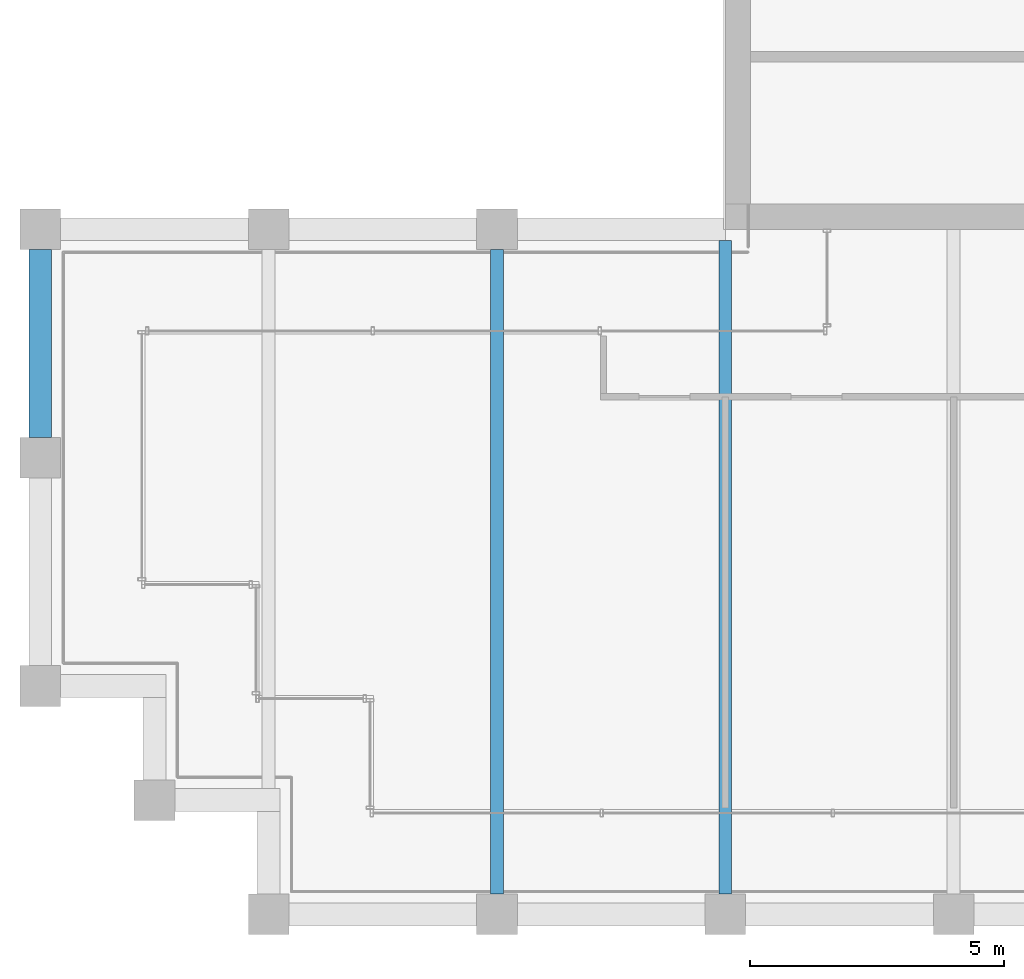
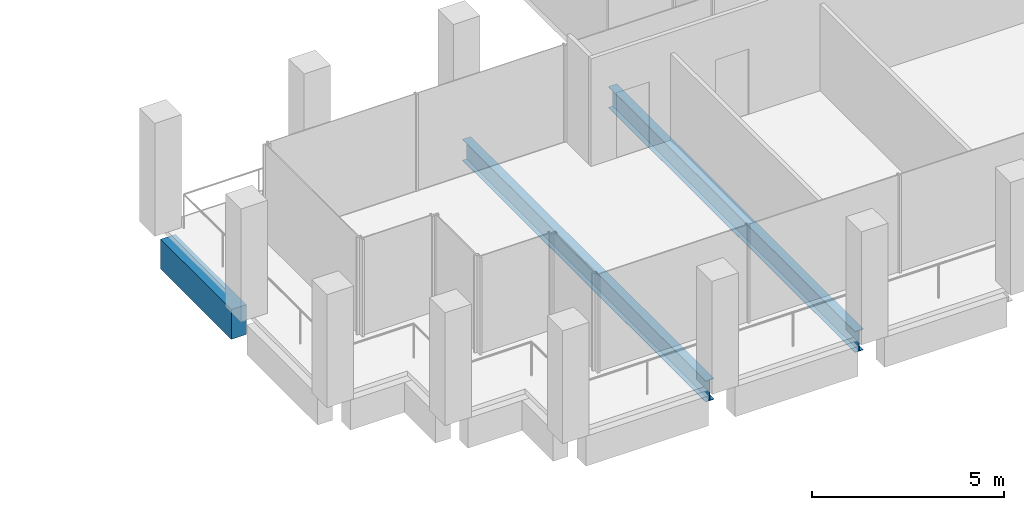
# One storey, part 4 of 30: 3 beams.
"""IFC4 building model written with IfcOpenShell, lengths in metres."""

from ifc_helpers import new_model, si_unit, direction, frame, origin, origin_2d, place, context, subcontext, project, spatial, rectangle, i_section, extrude, material, material_profile, profile_set, type_object, element, save


model = new_model("IFC4")

# Units and contexts
model_context = context("Model", 3, precision=1e-05, world=origin(), true_north=direction((0.0, 1.0)))
body_context = subcontext(model_context, "Body", "Model", "MODEL_VIEW")
ifc_project = project(units=[si_unit("LENGTHUNIT", "METRE"), si_unit("AREAUNIT", "SQUARE_METRE"), si_unit("VOLUMEUNIT", "CUBIC_METRE"), si_unit("PLANEANGLEUNIT", "RADIAN"), si_unit("MASSUNIT", "GRAM", prefix="KILO")], contexts=[model_context])

# Site, building, storey
site_placement = place(None, origin())
site = spatial("IfcSite", under=ifc_project, at=site_placement, CompositionType="ELEMENT")
building_placement = place(site_placement, origin())
building = spatial("IfcBuilding", under=site, at=building_placement, Name="Altepetl Exchange Towers", CompositionType="ELEMENT")
storey_placement = place(building_placement, frame((0.0, 0.0, 231.60009765625)))
storey = spatial("IfcBuildingStorey", under=building, at=storey_placement, Name="L59", CompositionType="ELEMENT", Elevation=231.60009765625)

# Beams
ifc_material_1 = material(Name="Steel S355", Category="steel")
ifc_material_profile_1 = material_profile(ifc_material_1, i_section(OverallWidth=0.2529296875, OverallDepth=0.677978515625, WebThickness=0.01171875, FlangeThickness=0.016357421875, at=origin_2d()), Name="W27X84")
ifc_profile_set_1 = profile_set([ifc_material_profile_1], Name="Steel S355")
beam_type_1 = type_object("IfcBeamType", Name="Floor beam W27X84", PredefinedType="BEAM", material=ifc_profile_set_1)
beam_1_placement = place(storey_placement, frame((36.0, 27.39990234375, -0.489013671875), z_axis=(0.0, 1.0, 0.0), x_axis=(-1.0, 0.0, 0.0)))
element("IfcBeam", 1, at=beam_1_placement, inside=storey, type_object=beam_type_1, Name="bm:A:L59:013", PredefinedType="BEAM", context=body_context, shape_type="SweptSolid", body=[
    extrude(i_section(OverallWidth=0.2529296875, OverallDepth=0.677978515625, WebThickness=0.01171875, FlangeThickness=0.016357421875, at=origin_2d()), origin(), (0.0, 0.0, 1.0), 12.7001953125),
])
beam_2_placement = place(storey_placement, frame((40.5, 27.39990234375, -0.489013671875), z_axis=(0.0, 1.0, 0.0), x_axis=(-1.0, 0.0, 0.0)))
element("IfcBeam", 2, at=beam_2_placement, inside=storey, type_object=beam_type_1, Name="bm:A:L59:014", PredefinedType="BEAM", context=body_context, shape_type="SweptSolid", body=[
    extrude(i_section(OverallWidth=0.2529296875, OverallDepth=0.677978515625, WebThickness=0.01171875, FlangeThickness=0.016357421875, at=origin_2d()), origin(), (0.0, 0.0, 1.0), 12.875),
])
ifc_material_2 = material(Name="Concrete C50/60 precast with cantera blanca facing", Category="concrete")
ifc_material_profile_2 = material_profile(ifc_material_2, rectangle(XDim=0.449951171875, YDim=0.949951171875, at=origin_2d()), Name="450 x 950")
ifc_profile_set_2 = profile_set([ifc_material_profile_2], Name="Concrete C50/60 precast with cantera blanca facing")
beam_type_2 = type_object("IfcBeamType", Name="Spandrel beam 450x950 cantera blanca", PredefinedType="SPANDREL", material=ifc_profile_set_2)
beam_3_placement = place(storey_placement, frame((27.0, 40.10009765625, -0.625), z_axis=(0.0, -1.0, 0.0), x_axis=(1.0, 0.0, 0.0)))
element("IfcBeam", 3, at=beam_3_placement, inside=storey, type_object=beam_type_2, Name="sp:A:L59:036", PredefinedType="SPANDREL", context=body_context, shape_type="SweptSolid", body=[
    extrude(rectangle(XDim=0.449951171875, YDim=0.949951171875, at=origin_2d()), origin(), (0.0, 0.0, 1.0), 3.7001953125),
])

save(model, "model.ifc")
